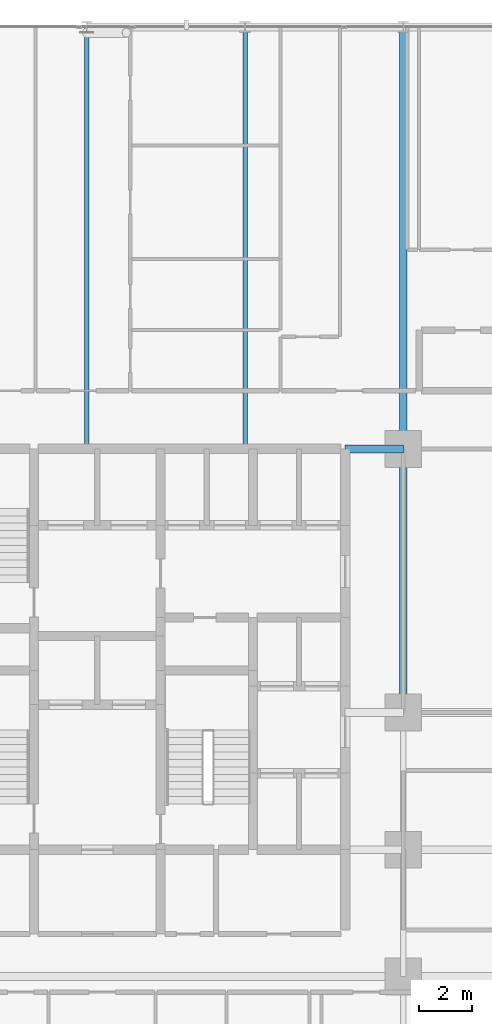
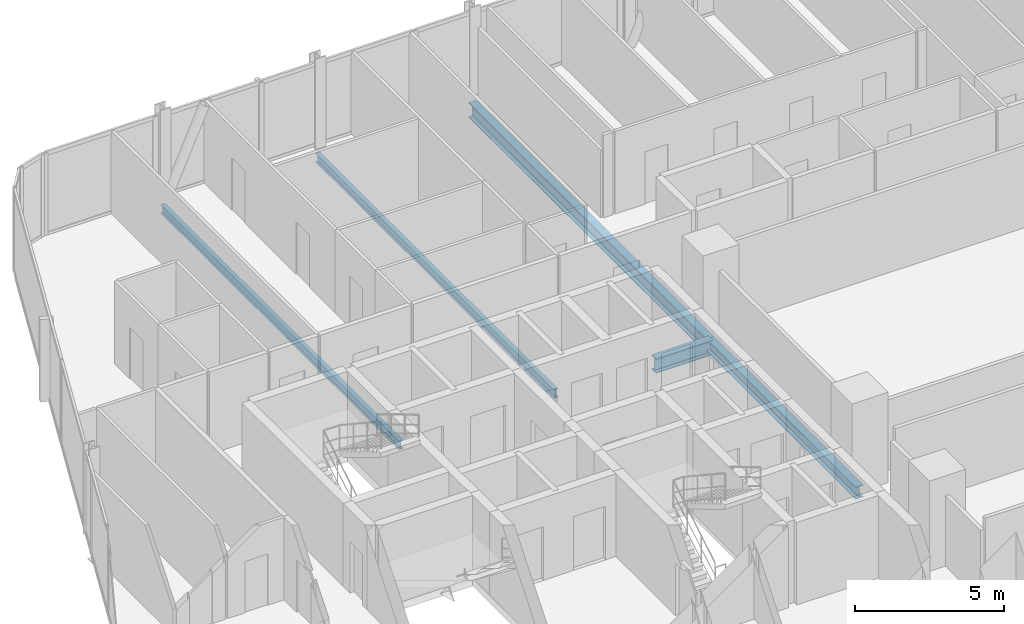
# One storey, part 12 of 35: 5 beams.
"""IFC4 building model written with IfcOpenShell, lengths in metres."""

from ifc_helpers import new_model, si_unit, direction, frame, origin, origin_2d, place, context, subcontext, project, spatial, i_section, extrude, material, material_profile, profile_set, type_object, element, save


model = new_model("IFC4")

# Units and contexts
model_context = context("Model", 3, precision=1e-05, world=origin(), true_north=direction((0.0, 1.0)))
body_context = subcontext(model_context, "Body", "Model", "MODEL_VIEW")
ifc_project = project(units=[si_unit("LENGTHUNIT", "METRE"), si_unit("AREAUNIT", "SQUARE_METRE"), si_unit("VOLUMEUNIT", "CUBIC_METRE"), si_unit("PLANEANGLEUNIT", "RADIAN"), si_unit("MASSUNIT", "GRAM", prefix="KILO")], contexts=[model_context])

# Site, building, storey
site_placement = place(None, origin())
site = spatial("IfcSite", under=ifc_project, at=site_placement, CompositionType="ELEMENT")
building_placement = place(site_placement, origin())
building = spatial("IfcBuilding", under=site, at=building_placement, Name="Keshet Zoharim Tower", CompositionType="ELEMENT")
storey_placement = place(building_placement, frame((0.0, 0.0, 24.0)))
storey = spatial("IfcBuildingStorey", under=building, at=storey_placement, Name="L04", CompositionType="ELEMENT", Elevation=24.0)

# Beams
ifc_material = material(Name="Steel S355", Category="steel")
ifc_material_profile_1 = material_profile(ifc_material, i_section(OverallWidth=0.300048828125, OverallDepth=0.60009765625, WebThickness=0.015380859375, FlangeThickness=0.030029296875, FilletRadius=0.027099609375, at=origin_2d()), Name="HEB600")
ifc_profile_set_1 = profile_set([ifc_material_profile_1], Name="Steel S355")
beam_type_1 = type_object("IfcBeamType", Name="BM-CLK-HB600", PredefinedType="BEAM", material=ifc_profile_set_1)
beam_1_placement = place(storey_placement, frame((30.800048828125, 37.89990234375, -0.614990234375), z_axis=(1.0, 0.0, 0.0), x_axis=(0.0, 1.0, 0.0)))
element("IfcBeam", 1, at=beam_1_placement, inside=storey, type_object=beam_type_1, Name="L04 Core Wall Link Girder 03", PredefinedType="BEAM", context=body_context, shape_type="SweptSolid", body=[
    extrude(i_section(OverallWidth=0.300048828125, OverallDepth=0.60009765625, WebThickness=0.015380859375, FlangeThickness=0.030029296875, FilletRadius=0.027099609375, at=origin_2d()), origin(), (0.0, 0.0, 1.0), 2.199951171875),
])
ifc_material_profile_2 = material_profile(ifc_material, i_section(OverallWidth=0.169921875, OverallDepth=0.360107421875, WebThickness=0.008056640625, FlangeThickness=0.0126953125, FilletRadius=0.01806640625, at=origin_2d()), Name="IPE360")
ifc_profile_set_2 = profile_set([ifc_material_profile_2], Name="Steel S355")
beam_type_2 = type_object("IfcBeamType", Name="BM-JST-IP360", PredefinedType="JOIST", material=ifc_profile_set_2)
for number, where, z_axis, x_axis, name in (
    (2, (21.0, 37.89990234375, -0.4951171875), (0.0, 1.0, 0.0), (-1.0, 0.0, 0.0), "L04 Secondary Floor Joist J-001"),
    (3, (27.0, 37.89990234375, -0.4951171875), (0.0, 1.0, 0.0), (-1.0, 0.0, 0.0), "L04 Secondary Floor Joist J-002"),
):
    element("IfcBeam", number, at=place(storey_placement, frame(where, z_axis=z_axis, x_axis=x_axis)), inside=storey, type_object=beam_type_2, Name=name, PredefinedType="JOIST", context=body_context, shape_type="SweptSolid", body=[
        extrude(i_section(OverallWidth=0.169921875, OverallDepth=0.360107421875, WebThickness=0.008056640625, FlangeThickness=0.0126953125, FilletRadius=0.01806640625, at=origin_2d()), origin(), (0.0, 0.0, 1.0), 16.0),
    ])
ifc_material_profile_3 = material_profile(ifc_material, i_section(OverallWidth=0.300048828125, OverallDepth=0.60009765625, WebThickness=0.015380859375, FlangeThickness=0.030029296875, FilletRadius=0.027099609375, at=origin_2d()), Name="HEB600")
ifc_profile_set_3 = profile_set([ifc_material_profile_3], Name="Steel S355")
beam_type_3 = type_object("IfcBeamType", Name="BM-LNG-HB600", PredefinedType="BEAM", material=ifc_profile_set_3)
beam_2_placement = place(storey_placement, frame((33.0, 37.89990234375, -0.614990234375), z_axis=(0.0, 1.0, 0.0), x_axis=(-1.0, 0.0, 0.0)))
element("IfcBeam", 4, at=beam_2_placement, inside=storey, type_object=beam_type_3, Name="L04 Primary Girder Y-011", PredefinedType="BEAM", context=body_context, shape_type="SweptSolid", body=[
    extrude(i_section(OverallWidth=0.300048828125, OverallDepth=0.60009765625, WebThickness=0.015380859375, FlangeThickness=0.030029296875, FilletRadius=0.027099609375, at=origin_2d()), origin(), (0.0, 0.0, 1.0), 16.0),
])
ifc_material_profile_4 = material_profile(ifc_material, i_section(OverallWidth=0.300048828125, OverallDepth=0.5, WebThickness=0.014404296875, FlangeThickness=0.028076171875, FilletRadius=0.027099609375, at=origin_2d()), Name="HEB500")
ifc_profile_set_4 = profile_set([ifc_material_profile_4], Name="Steel S355")
beam_type_4 = type_object("IfcBeamType", Name="BM-MED-HB500", PredefinedType="BEAM", material=ifc_profile_set_4)
beam_3_placement = place(storey_placement, frame((33.0, 27.89990234375, -0.56494140625), z_axis=(0.0, 1.0, 0.0), x_axis=(-1.0, 0.0, 0.0)))
element("IfcBeam", 5, at=beam_3_placement, inside=storey, type_object=beam_type_4, Name="L04 Primary Girder Y-010", PredefinedType="BEAM", context=body_context, shape_type="SweptSolid", body=[
    extrude(i_section(OverallWidth=0.300048828125, OverallDepth=0.5, WebThickness=0.014404296875, FlangeThickness=0.028076171875, FilletRadius=0.027099609375, at=origin_2d()), origin(), (0.0, 0.0, 1.0), 10.0),
])

save(model, "model.ifc")
